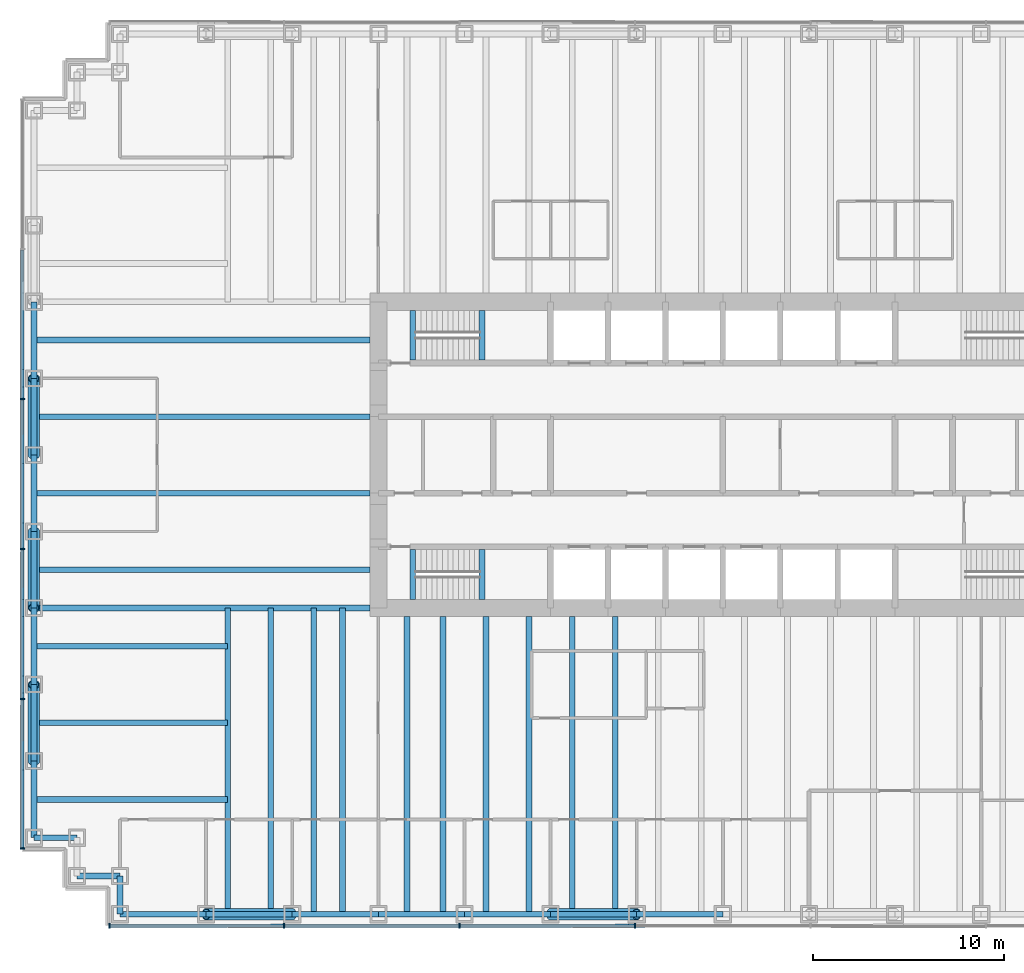
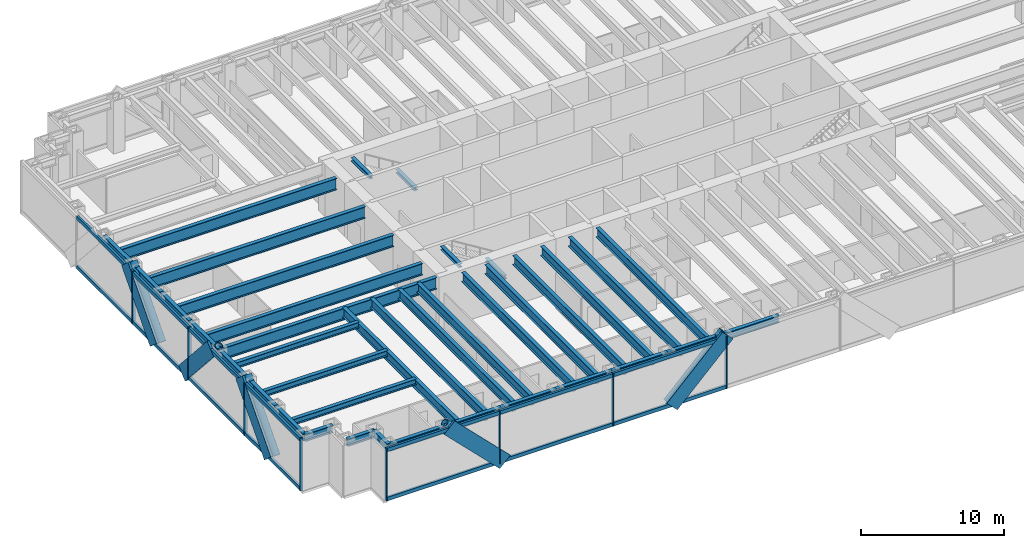
# One storey, part 2 of 13: 39 beams, 32 members, 2 elements without a shape of their own.
"""IFC4 building model written with IfcOpenShell, lengths in metres."""

from ifc_helpers import new_model, si_unit, direction, frame, origin, origin_2d, place, context, subcontext, project, spatial, rectangle, hollow_circle, i_section, extrude, material, material_profile, profile_set, type_object, element, aggregate, save


model = new_model("IFC4")

# Units and contexts
model_context = context("Model", 3, precision=1e-05, world=origin(), true_north=direction((0.0, 1.0)))
body_context = subcontext(model_context, "Body", "Model", "MODEL_VIEW")
ifc_project = project(units=[si_unit("LENGTHUNIT", "METRE"), si_unit("AREAUNIT", "SQUARE_METRE"), si_unit("VOLUMEUNIT", "CUBIC_METRE"), si_unit("PLANEANGLEUNIT", "RADIAN"), si_unit("MASSUNIT", "GRAM", prefix="KILO")], contexts=[model_context])

# Site, building, storey
site_placement = place(None, origin())
site = spatial("IfcSite", under=ifc_project, at=site_placement, CompositionType="ELEMENT")
building_placement = place(site_placement, origin())
building = spatial("IfcBuilding", under=site, at=building_placement, Name="Rheinbord Bourse Tower", CompositionType="ELEMENT")
storey_placement = place(building_placement, frame((0.0, 0.0, 86.0)))
storey = spatial("IfcBuildingStorey", under=building, at=storey_placement, Name="L18", CompositionType="ELEMENT", Elevation=86.0)

# Curtain wall, members
ifc_material_1 = material(Name="Dark glass and black aluminium", Category="aluminium")
curtain_wall_type = type_object("IfcCurtainWallType", Name="CW1 DARK GLASS CURTAIN WALL", PredefinedType="USERDEFINED", material=ifc_material_1)
curtain_wall_1_placement = place(storey_placement, origin())
curtain_wall_1 = element("IfcCurtainWall", 1, at=curtain_wall_1_placement, inside=storey, type_object=curtain_wall_type, Name="Curtain wall CW1 S L18", ObjectType="UNITISED CURTAIN WALL", PredefinedType="USERDEFINED")
ifc_material_2 = material(Name="Black anodised aluminium", Category="aluminium")
ifc_material_profile_1 = material_profile(ifc_material_2, rectangle(XDim=0.179931640625, YDim=1.2099609375, at=origin_2d()), Name="CW1 DIAGONAL MULLION 1210x180")
ifc_profile_set_1 = profile_set([ifc_material_profile_1], Name="Black anodised aluminium")
member_type_1 = type_object("IfcMemberType", Name="CW1 BLACK DIAGONAL MULLION", PredefinedType="USERDEFINED", material=ifc_profile_set_1)
member_1_placement = place(storey_placement, frame((27.0, -0.60009765625, 0.0), z_axis=(0.707106781187, 0.0, 0.707106781187), x_axis=(0.0, 1.0, 0.0)))
member_1 = element("IfcMember", 2, at=member_1_placement, type_object=member_type_1, Name="CW1 diagonal mullion b", ObjectType="DIAGONAL MULLION", PredefinedType="USERDEFINED", context=body_context, shape_type="SweptSolid", body=[
    extrude(rectangle(XDim=0.179931640625, YDim=1.2099609375, at=origin_2d()), origin(), (0.0, 0.0, 1.0), 6.364013671875),
])
member_2_placement = place(storey_placement, frame((13.5, -0.60009765625, 0.0), z_axis=(-0.707106781187, 0.0, 0.707106781187), x_axis=(0.0, -1.0, 0.0)))
member_2 = element("IfcMember", 3, at=member_2_placement, type_object=member_type_1, Name="CW1 diagonal mullion c", ObjectType="DIAGONAL MULLION", PredefinedType="USERDEFINED", context=body_context, shape_type="SweptSolid", body=[
    extrude(rectangle(XDim=0.179931640625, YDim=1.2099609375, at=origin_2d()), origin(), (0.0, 0.0, 1.0), 6.364013671875),
])

curtain_wall_2_placement = place(storey_placement, origin())
curtain_wall_2 = element("IfcCurtainWall", 4, at=curtain_wall_2_placement, inside=storey, type_object=curtain_wall_type, Name="Curtain wall CW1 W L18", ObjectType="UNITISED CURTAIN WALL", PredefinedType="USERDEFINED")
member_3_placement = place(storey_placement, frame((-0.60009765625, 8.0, 0.0), z_axis=(0.0, 0.66436383883, 0.747409318684), x_axis=(-1.0, 0.0, 0.0)))
member_3 = element("IfcMember", 5, at=member_3_placement, type_object=member_type_1, Name="CW1 diagonal mullion a", ObjectType="DIAGONAL MULLION", PredefinedType="USERDEFINED", context=body_context, shape_type="SweptSolid", body=[
    extrude(rectangle(XDim=0.179931640625, YDim=1.2099609375, at=origin_2d()), origin(), (0.0, 0.0, 1.0), 6.020751953125),
])
member_4_placement = place(storey_placement, frame((-0.60009765625, 24.0, 0.0), z_axis=(0.0, 0.66436383883, 0.747409318684), x_axis=(-1.0, 0.0, 0.0)))
member_4 = element("IfcMember", 6, at=member_4_placement, type_object=member_type_1, Name="CW1 diagonal mullion c", ObjectType="DIAGONAL MULLION", PredefinedType="USERDEFINED", context=body_context, shape_type="SweptSolid", body=[
    extrude(rectangle(XDim=0.179931640625, YDim=1.2099609375, at=origin_2d()), origin(), (0.0, 0.0, 1.0), 6.020751953125),
])
member_5_placement = place(storey_placement, frame((-0.60009765625, 20.0, 0.0), z_axis=(0.0, -0.66436383883, 0.747409318684), x_axis=(1.0, 0.0, 0.0)))
member_5 = element("IfcMember", 7, at=member_5_placement, type_object=member_type_1, Name="CW1 diagonal mullion d", ObjectType="DIAGONAL MULLION", PredefinedType="USERDEFINED", context=body_context, shape_type="SweptSolid", body=[
    extrude(rectangle(XDim=0.179931640625, YDim=1.2099609375, at=origin_2d()), origin(), (0.0, 0.0, 1.0), 6.020751953125),
])

# Member
ifc_material_3 = material(Name="Black anodised aluminium", Category="aluminium")
ifc_material_profile_2 = material_profile(ifc_material_3, rectangle(XDim=0.25, YDim=0.080078125, at=origin_2d()), Name="CW1 MULLION 80x250")
ifc_profile_set_2 = profile_set([ifc_material_profile_2], Name="Black anodised aluminium")
member_type_2 = type_object("IfcMemberType", Name="CW1 BLACK MULLION", PredefinedType="MULLION", material=ifc_profile_set_2)
member_6_placement = place(storey_placement, frame((3.93994140625, -0.60009765625, 0.0), z_axis=(0.0, 0.0, 1.0), x_axis=(0.0, 1.0, 0.0)))
member_6 = element("IfcMember", 8, at=member_6_placement, type_object=member_type_2, Name="CW1 mullion 1", PredefinedType="MULLION", context=body_context, shape_type="SweptSolid", body=[
    extrude(rectangle(XDim=0.25, YDim=0.080078125, at=origin_2d()), origin(), (0.0, 0.0, 1.0), 4.5),
])

member_7_placement = place(storey_placement, frame((13.071533203125, -0.60009765625, 0.0), z_axis=(0.0, 0.0, 1.0), x_axis=(0.0, 1.0, 0.0)))
member_7 = element("IfcMember", 9, at=member_7_placement, type_object=member_type_2, Name="CW1 mullion 2", PredefinedType="MULLION", context=body_context, shape_type="SweptSolid", body=[
    extrude(rectangle(XDim=0.25, YDim=0.080078125, at=origin_2d()), origin(), (0.0, 0.0, 1.0), 4.5),
])

member_8_placement = place(storey_placement, frame((22.242919921875, -0.60009765625, 0.0), z_axis=(0.0, 0.0, 1.0), x_axis=(0.0, 1.0, 0.0)))
member_8 = element("IfcMember", 10, at=member_8_placement, type_object=member_type_2, Name="CW1 mullion 3", PredefinedType="MULLION", context=body_context, shape_type="SweptSolid", body=[
    extrude(rectangle(XDim=0.25, YDim=0.080078125, at=origin_2d()), origin(), (0.0, 0.0, 1.0), 4.5),
])

member_9_placement = place(storey_placement, frame((31.414306640625, -0.60009765625, 0.0), z_axis=(0.0, 0.0, 1.0), x_axis=(0.0, 1.0, 0.0)))
member_9 = element("IfcMember", 11, at=member_9_placement, type_object=member_type_2, Name="CW1 mullion 4", PredefinedType="MULLION", context=body_context, shape_type="SweptSolid", body=[
    extrude(rectangle(XDim=0.25, YDim=0.080078125, at=origin_2d()), origin(), (0.0, 0.0, 1.0), 4.5),
])

member_10_placement = place(storey_placement, frame((-0.60009765625, 26.919921875, 0.0), z_axis=(0.0, 0.0, 1.0), x_axis=(1.0, 0.0, 0.0)))
member_10 = element("IfcMember", 12, at=member_10_placement, type_object=member_type_2, Name="CW1 mullion 3", PredefinedType="MULLION", context=body_context, shape_type="SweptSolid", body=[
    extrude(rectangle(XDim=0.25, YDim=0.080078125, at=origin_2d()), origin(), (0.0, 0.0, 1.0), 4.5),
])

member_11_placement = place(storey_placement, frame((-0.60009765625, 19.080078125, 0.0), z_axis=(0.0, 0.0, 1.0), x_axis=(1.0, 0.0, 0.0)))
member_11 = element("IfcMember", 13, at=member_11_placement, type_object=member_type_2, Name="CW1 mullion 4", PredefinedType="MULLION", context=body_context, shape_type="SweptSolid", body=[
    extrude(rectangle(XDim=0.25, YDim=0.080078125, at=origin_2d()), origin(), (0.0, 0.0, 1.0), 4.5),
])

member_12_placement = place(storey_placement, frame((-0.60009765625, 11.239990234375, 0.0), z_axis=(0.0, 0.0, 1.0), x_axis=(1.0, 0.0, 0.0)))
member_12 = element("IfcMember", 14, at=member_12_placement, type_object=member_type_2, Name="CW1 mullion 5", PredefinedType="MULLION", context=body_context, shape_type="SweptSolid", body=[
    extrude(rectangle(XDim=0.25, YDim=0.080078125, at=origin_2d()), origin(), (0.0, 0.0, 1.0), 4.5),
])

member_13_placement = place(storey_placement, frame((-0.60009765625, 3.43994140625, 0.0), z_axis=(0.0, 0.0, 1.0), x_axis=(1.0, 0.0, 0.0)))
member_13 = element("IfcMember", 15, at=member_13_placement, type_object=member_type_2, Name="CW1 mullion 6", PredefinedType="MULLION", context=body_context, shape_type="SweptSolid", body=[
    extrude(rectangle(XDim=0.25, YDim=0.080078125, at=origin_2d()), origin(), (0.0, 0.0, 1.0), 4.5),
])

ifc_material_4 = material(Name="Black anodised aluminium", Category="aluminium")
ifc_material_profile_3 = material_profile(ifc_material_4, rectangle(XDim=0.179931640625, YDim=0.300048828125, at=origin_2d()), Name="CW1 TRANSOM 300x180")
ifc_profile_set_3 = profile_set([ifc_material_profile_3], Name="Black anodised aluminium")
member_type_3 = type_object("IfcMemberType", Name="CW1 BLACK TRANSOM", PredefinedType="USERDEFINED", material=ifc_profile_set_3)
member_14_placement = place(storey_placement, frame((3.97998046875, -0.60009765625, 0.14990234375), z_axis=(1.0, 0.0, 0.0), x_axis=(0.0, 1.0, 0.0)))
member_14 = element("IfcMember", 16, at=member_14_placement, type_object=member_type_3, Name="CW1 transom 1.1", ObjectType="TRANSOM", PredefinedType="USERDEFINED", context=body_context, shape_type="SweptSolid", body=[
    extrude(rectangle(XDim=0.179931640625, YDim=0.300048828125, at=origin_2d()), origin(), (0.0, 0.0, 1.0), 9.051513671875),
])

member_15_placement = place(storey_placement, frame((3.97998046875, -0.60009765625, 4.35009765625), z_axis=(1.0, 0.0, 0.0), x_axis=(0.0, 1.0, 0.0)))
member_15 = element("IfcMember", 17, at=member_15_placement, type_object=member_type_3, Name="CW1 transom 1.2", ObjectType="TRANSOM", PredefinedType="USERDEFINED", context=body_context, shape_type="SweptSolid", body=[
    extrude(rectangle(XDim=0.179931640625, YDim=0.300048828125, at=origin_2d()), origin(), (0.0, 0.0, 1.0), 9.051513671875),
])

member_16_placement = place(storey_placement, frame((13.111328125, -0.60009765625, 0.14990234375), z_axis=(1.0, 0.0, 0.0), x_axis=(0.0, 1.0, 0.0)))
member_16 = element("IfcMember", 18, at=member_16_placement, type_object=member_type_3, Name="CW1 transom 2.1", ObjectType="TRANSOM", PredefinedType="USERDEFINED", context=body_context, shape_type="SweptSolid", body=[
    extrude(rectangle(XDim=0.179931640625, YDim=0.300048828125, at=origin_2d()), origin(), (0.0, 0.0, 1.0), 9.091552734375),
])

member_17_placement = place(storey_placement, frame((13.111328125, -0.60009765625, 4.35009765625), z_axis=(1.0, 0.0, 0.0), x_axis=(0.0, 1.0, 0.0)))
member_17 = element("IfcMember", 19, at=member_17_placement, type_object=member_type_3, Name="CW1 transom 2.2", ObjectType="TRANSOM", PredefinedType="USERDEFINED", context=body_context, shape_type="SweptSolid", body=[
    extrude(rectangle(XDim=0.179931640625, YDim=0.300048828125, at=origin_2d()), origin(), (0.0, 0.0, 1.0), 9.091552734375),
])

member_18_placement = place(storey_placement, frame((22.282958984375, -0.60009765625, 0.14990234375), z_axis=(1.0, 0.0, 0.0), x_axis=(0.0, 1.0, 0.0)))
member_18 = element("IfcMember", 20, at=member_18_placement, type_object=member_type_3, Name="CW1 transom 3.1", ObjectType="TRANSOM", PredefinedType="USERDEFINED", context=body_context, shape_type="SweptSolid", body=[
    extrude(rectangle(XDim=0.179931640625, YDim=0.300048828125, at=origin_2d()), origin(), (0.0, 0.0, 1.0), 9.09130859375),
])

member_19_placement = place(storey_placement, frame((22.282958984375, -0.60009765625, 4.35009765625), z_axis=(1.0, 0.0, 0.0), x_axis=(0.0, 1.0, 0.0)))
member_19 = element("IfcMember", 21, at=member_19_placement, type_object=member_type_3, Name="CW1 transom 3.2", ObjectType="TRANSOM", PredefinedType="USERDEFINED", context=body_context, shape_type="SweptSolid", body=[
    extrude(rectangle(XDim=0.179931640625, YDim=0.300048828125, at=origin_2d()), origin(), (0.0, 0.0, 1.0), 9.09130859375),
])

aggregate(curtain_wall_1, [member_6, member_7, member_8, member_9, member_14, member_15, member_16, member_17, member_18, member_19, member_1, member_2])

member_20_placement = place(storey_placement, frame((-0.60009765625, 34.719970703125, 0.14990234375), z_axis=(0.0, -1.0, 0.0), x_axis=(1.0, 0.0, 0.0)))
member_20 = element("IfcMember", 22, at=member_20_placement, type_object=member_type_3, Name="CW1 transom 2.1", ObjectType="TRANSOM", PredefinedType="USERDEFINED", context=body_context, shape_type="SweptSolid", body=[
    extrude(rectangle(XDim=0.179931640625, YDim=0.300048828125, at=origin_2d()), origin(), (0.0, 0.0, 1.0), 7.760009765625),
])

member_21_placement = place(storey_placement, frame((-0.60009765625, 34.719970703125, 4.35009765625), z_axis=(0.0, -1.0, 0.0), x_axis=(1.0, 0.0, 0.0)))
member_21 = element("IfcMember", 23, at=member_21_placement, type_object=member_type_3, Name="CW1 transom 2.2", ObjectType="TRANSOM", PredefinedType="USERDEFINED", context=body_context, shape_type="SweptSolid", body=[
    extrude(rectangle(XDim=0.179931640625, YDim=0.300048828125, at=origin_2d()), origin(), (0.0, 0.0, 1.0), 7.760009765625),
])

member_22_placement = place(storey_placement, frame((-0.60009765625, 26.8798828125, 0.14990234375), z_axis=(0.0, -1.0, 0.0), x_axis=(1.0, 0.0, 0.0)))
member_22 = element("IfcMember", 24, at=member_22_placement, type_object=member_type_3, Name="CW1 transom 3.1", ObjectType="TRANSOM", PredefinedType="USERDEFINED", context=body_context, shape_type="SweptSolid", body=[
    extrude(rectangle(XDim=0.179931640625, YDim=0.300048828125, at=origin_2d()), origin(), (0.0, 0.0, 1.0), 7.759765625),
])

member_23_placement = place(storey_placement, frame((-0.60009765625, 26.8798828125, 4.35009765625), z_axis=(0.0, -1.0, 0.0), x_axis=(1.0, 0.0, 0.0)))
member_23 = element("IfcMember", 25, at=member_23_placement, type_object=member_type_3, Name="CW1 transom 3.2", ObjectType="TRANSOM", PredefinedType="USERDEFINED", context=body_context, shape_type="SweptSolid", body=[
    extrude(rectangle(XDim=0.179931640625, YDim=0.300048828125, at=origin_2d()), origin(), (0.0, 0.0, 1.0), 7.759765625),
])

member_24_placement = place(storey_placement, frame((-0.60009765625, 19.0400390625, 0.14990234375), z_axis=(0.0, -1.0, 0.0), x_axis=(1.0, 0.0, 0.0)))
member_24 = element("IfcMember", 26, at=member_24_placement, type_object=member_type_3, Name="CW1 transom 4.1", ObjectType="TRANSOM", PredefinedType="USERDEFINED", context=body_context, shape_type="SweptSolid", body=[
    extrude(rectangle(XDim=0.179931640625, YDim=0.300048828125, at=origin_2d()), origin(), (0.0, 0.0, 1.0), 7.760009765625),
])

member_25_placement = place(storey_placement, frame((-0.60009765625, 19.0400390625, 4.35009765625), z_axis=(0.0, -1.0, 0.0), x_axis=(1.0, 0.0, 0.0)))
member_25 = element("IfcMember", 27, at=member_25_placement, type_object=member_type_3, Name="CW1 transom 4.2", ObjectType="TRANSOM", PredefinedType="USERDEFINED", context=body_context, shape_type="SweptSolid", body=[
    extrude(rectangle(XDim=0.179931640625, YDim=0.300048828125, at=origin_2d()), origin(), (0.0, 0.0, 1.0), 7.760009765625),
])

member_26_placement = place(storey_placement, frame((-0.60009765625, 11.199951171875, 0.14990234375), z_axis=(0.0, -1.0, 0.0), x_axis=(1.0, 0.0, 0.0)))
member_26 = element("IfcMember", 28, at=member_26_placement, type_object=member_type_3, Name="CW1 transom 5.1", ObjectType="TRANSOM", PredefinedType="USERDEFINED", context=body_context, shape_type="SweptSolid", body=[
    extrude(rectangle(XDim=0.179931640625, YDim=0.300048828125, at=origin_2d()), origin(), (0.0, 0.0, 1.0), 7.719970703125),
])

member_27_placement = place(storey_placement, frame((-0.60009765625, 11.199951171875, 4.35009765625), z_axis=(0.0, -1.0, 0.0), x_axis=(1.0, 0.0, 0.0)))
member_27 = element("IfcMember", 29, at=member_27_placement, type_object=member_type_3, Name="CW1 transom 5.2", ObjectType="TRANSOM", PredefinedType="USERDEFINED", context=body_context, shape_type="SweptSolid", body=[
    extrude(rectangle(XDim=0.179931640625, YDim=0.300048828125, at=origin_2d()), origin(), (0.0, 0.0, 1.0), 7.719970703125),
])

aggregate(curtain_wall_2, [member_10, member_11, member_12, member_13, member_20, member_21, member_22, member_23, member_24, member_25, member_26, member_27, member_3, member_4, member_5])

# Beams
ifc_material_5 = material(Name="Steel S460", Category="steel")
ifc_material_profile_4 = material_profile(ifc_material_5, i_section(OverallWidth=0.302001953125, OverallDepth=1.008056640625, WebThickness=0.02099609375, FlangeThickness=0.0400390625, at=origin_2d()), Name="HEM 1000")
ifc_profile_set_4 = profile_set([ifc_material_profile_4], Name="Steel S460")
beam_type_1 = type_object("IfcBeamType", Name="END BEAM HEM 1000", PredefinedType="BEAM", material=ifc_profile_set_4)
for number, where, z_axis, x_axis, name in (
    (30, (0.0, 18.0, 3.81591796875), (1.0, 0.0, 0.0), (0.0, 1.0, 0.0), "End beam west 18 L19"),
    (31, (0.0, 22.0, 3.81591796875), (1.0, 0.0, 0.0), (0.0, 1.0, 0.0), "End beam west 22 L19"),
    (32, (0.0, 26.0, 3.81591796875), (1.0, 0.0, 0.0), (0.0, 1.0, 0.0), "End beam west 26 L19"),
    (33, (0.0, 30.0, 3.81591796875), (1.0, 0.0, 0.0), (0.0, 1.0, 0.0), "End beam west 30 L19"),
):
    element("IfcBeam", number, at=place(storey_placement, frame(where, z_axis=z_axis, x_axis=x_axis)), inside=storey, type_object=beam_type_1, Name=name, PredefinedType="BEAM", context=body_context, shape_type="SweptSolid", body=[
        extrude(i_section(OverallWidth=0.302001953125, OverallDepth=1.008056640625, WebThickness=0.02099609375, FlangeThickness=0.0400390625, at=origin_2d()), origin(), (0.0, 0.0, 1.0), 17.550048828125),
    ])
ifc_material_6 = material(Name="Steel S460", Category="steel")
ifc_material_profile_5 = material_profile(ifc_material_6, i_section(OverallWidth=0.300048828125, OverallDepth=0.800048828125, WebThickness=0.017578125, FlangeThickness=0.032958984375, at=origin_2d()), Name="HEB 800")
ifc_profile_set_5 = profile_set([ifc_material_profile_5], Name="Steel S460")
beam_type_2 = type_object("IfcBeamType", Name="FLOOR BEAM HEB 800", PredefinedType="BEAM", material=ifc_profile_set_5)
for number, where, z_axis, x_axis, name in (
    (34, (10.125, 0.0, 3.919921875), (0.0, 1.0, 0.0), (-1.0, 0.0, 0.0), "Floor beam S-9a L19"),
    (35, (12.375, 0.0, 3.919921875), (0.0, 1.0, 0.0), (-1.0, 0.0, 0.0), "Floor beam S-9b L19"),
    (36, (14.625, 0.0, 3.919921875), (0.0, 1.0, 0.0), (-1.0, 0.0, 0.0), "Floor beam S-13.5a L19"),
    (37, (16.125, 0.0, 3.919921875), (0.0, 1.0, 0.0), (-1.0, 0.0, 0.0), "Floor beam S-13.5b L19"),
):
    element("IfcBeam", number, at=place(storey_placement, frame(where, z_axis=z_axis, x_axis=x_axis)), inside=storey, type_object=beam_type_2, Name=name, PredefinedType="BEAM", context=body_context, shape_type="SweptSolid", body=[
        extrude(i_section(OverallWidth=0.300048828125, OverallDepth=0.800048828125, WebThickness=0.017578125, FlangeThickness=0.032958984375, at=origin_2d()), origin(), (0.0, 0.0, 1.0), 16.0),
    ])
for number, where, z_axis, x_axis, name in (
    (38, (19.5, 0.0, 3.919921875), (0.0, 1.0, 0.0), (-1.0, 0.0, 0.0), "Floor beam S-18a L19"),
    (39, (21.375, 0.0, 3.919921875), (0.0, 1.0, 0.0), (-1.0, 0.0, 0.0), "Floor beam S-18b L19"),
    (40, (23.625, 0.0, 3.919921875), (0.0, 1.0, 0.0), (-1.0, 0.0, 0.0), "Floor beam S-22.5a L19"),
    (41, (25.875, 0.0, 3.919921875), (0.0, 1.0, 0.0), (-1.0, 0.0, 0.0), "Floor beam S-22.5b L19"),
    (42, (28.125, 0.0, 3.919921875), (0.0, 1.0, 0.0), (-1.0, 0.0, 0.0), "Floor beam S-27a L19"),
    (43, (30.375, 0.0, 3.919921875), (0.0, 1.0, 0.0), (-1.0, 0.0, 0.0), "Floor beam S-27b L19"),
):
    element("IfcBeam", number, at=place(storey_placement, frame(where, z_axis=z_axis, x_axis=x_axis)), inside=storey, type_object=beam_type_2, Name=name, PredefinedType="BEAM", context=body_context, shape_type="SweptSolid", body=[
        extrude(i_section(OverallWidth=0.300048828125, OverallDepth=0.800048828125, WebThickness=0.017578125, FlangeThickness=0.032958984375, at=origin_2d()), origin(), (0.0, 0.0, 1.0), 15.550048828125),
    ])
ifc_material_7 = material(Name="Steel S460", Category="steel")
ifc_material_profile_6 = material_profile(ifc_material_7, i_section(OverallWidth=0.302001953125, OverallDepth=1.008056640625, WebThickness=0.02099609375, FlangeThickness=0.0400390625, at=origin_2d()), Name="HEM 1000")
ifc_profile_set_6 = profile_set([ifc_material_profile_6], Name="Steel S460")
beam_type_3 = type_object("IfcBeamType", Name="GIRDER HEM 1000", PredefinedType="BEAM", material=ifc_profile_set_6)
beam_1_placement = place(storey_placement, frame((0.0, 16.0, 3.81591796875), z_axis=(1.0, 0.0, 0.0), x_axis=(0.0, 1.0, 0.0)))
element("IfcBeam", 44, at=beam_1_placement, inside=storey, type_object=beam_type_3, Name="Girder west 16 L19", PredefinedType="BEAM", context=body_context, shape_type="SweptSolid", body=[
    extrude(i_section(OverallWidth=0.302001953125, OverallDepth=1.008056640625, WebThickness=0.02099609375, FlangeThickness=0.0400390625, at=origin_2d()), origin(), (0.0, 0.0, 1.0), 17.550048828125),
])
ifc_material_8 = material(Name="Steel S460", Category="steel")
ifc_material_profile_7 = material_profile(ifc_material_8, i_section(OverallWidth=0.300048828125, OverallDepth=0.300048828125, WebThickness=0.010986328125, FlangeThickness=0.01904296875, at=origin_2d()), Name="HEB 300")
ifc_profile_set_7 = profile_set([ifc_material_profile_7], Name="Steel S460")
beam_type_4 = type_object("IfcBeamType", Name="LANDING TRIMMER HEB 300", PredefinedType="BEAM", material=ifc_profile_set_7)
for number, where, z_axis, x_axis, name in (
    (45, (23.409912109375, 16.449951171875, 1.89990234375), (0.0, 1.0, 0.0), (-1.0, 0.0, 0.0), "Landing trimmer ST1 L18"),
    (46, (19.800048828125, 16.449951171875, 4.169921875), (0.0, 1.0, 0.0), (-1.0, 0.0, 0.0), "Well trimmer ST1 under L19"),
    (47, (23.409912109375, 28.949951171875, 1.89990234375), (0.0, 1.0, 0.0), (-1.0, 0.0, 0.0), "Landing trimmer ST2 L18"),
    (48, (19.800048828125, 28.949951171875, 4.169921875), (0.0, 1.0, 0.0), (-1.0, 0.0, 0.0), "Well trimmer ST2 under L19"),
):
    element("IfcBeam", number, at=place(storey_placement, frame(where, z_axis=z_axis, x_axis=x_axis)), inside=storey, type_object=beam_type_4, Name=name, PredefinedType="BEAM", context=body_context, shape_type="SweptSolid", body=[
        extrude(i_section(OverallWidth=0.300048828125, OverallDepth=0.300048828125, WebThickness=0.010986328125, FlangeThickness=0.01904296875, at=origin_2d()), origin(), (0.0, 0.0, 1.0), 2.60009765625),
    ])

# Members
ifc_material_9 = material(Name="Steel S460", Category="steel")
ifc_material_profile_8 = material_profile(ifc_material_9, hollow_circle(Radius=0.304931640625, WallThickness=0.050048828125, at=origin_2d()), Name="CHS 610x50")
ifc_profile_set_8 = profile_set([ifc_material_profile_8], Name="Steel S460")
member_type_4 = type_object("IfcMemberType", Name="MEGABRACE CHS 610x50", PredefinedType="BRACE", material=ifc_profile_set_8)
for number, where, z_axis, x_axis, name in (
    (49, (27.0, 0.0, 0.0), (0.707106781187, 0.0, 0.707106781187), (0.0, 1.0, 0.0), "Megabrace S face line b L18"),
    (50, (13.5, 0.0, 0.0), (-0.707106781187, 0.0, 0.707106781187), (0.0, -1.0, 0.0), "Megabrace S face line c L18"),
):
    element("IfcMember", number, at=place(storey_placement, frame(where, z_axis=z_axis, x_axis=x_axis)), inside=storey, type_object=member_type_4, Name=name, PredefinedType="BRACE", context=body_context, shape_type="SweptSolid", body=[
        extrude(hollow_circle(Radius=0.304931640625, WallThickness=0.050048828125, at=origin_2d()), origin(), (0.0, 0.0, 1.0), 6.364013671875),
    ])
for number, where, z_axis, x_axis, name in (
    (51, (0.0, 8.0, 0.0), (0.0, 0.66436383883, 0.747409318684), (-1.0, 0.0, 0.0), "Megabrace W face line a L18"),
    (52, (0.0, 24.0, 0.0), (0.0, 0.66436383883, 0.747409318684), (-1.0, 0.0, 0.0), "Megabrace W face line c L18"),
    (53, (0.0, 20.0, 0.0), (0.0, -0.66436383883, 0.747409318684), (1.0, 0.0, 0.0), "Megabrace W face line d L18"),
):
    element("IfcMember", number, at=place(storey_placement, frame(where, z_axis=z_axis, x_axis=x_axis)), inside=storey, type_object=member_type_4, Name=name, PredefinedType="BRACE", context=body_context, shape_type="SweptSolid", body=[
        extrude(hollow_circle(Radius=0.304931640625, WallThickness=0.050048828125, at=origin_2d()), origin(), (0.0, 0.0, 1.0), 6.020751953125),
    ])

# Beams
ifc_material_10 = material(Name="Steel S460", Category="steel")
ifc_material_profile_9 = material_profile(ifc_material_10, i_section(OverallWidth=0.304931640625, OverallDepth=0.6201171875, WebThickness=0.02099609375, FlangeThickness=0.0400390625, at=origin_2d()), Name="HEM 600")
ifc_profile_set_9 = profile_set([ifc_material_profile_9], Name="Steel S460")
beam_type_5 = type_object("IfcBeamType", Name="SPANDREL HEM 600", PredefinedType="SPANDREL", material=ifc_profile_set_9)
for number, where, z_axis, x_axis, name in (
    (54, (4.5, 0.0, 4.010009765625), (1.0, 0.0, 0.0), (0.0, 1.0, 0.0), "Spandrel SW-E-S-9 under L19"),
    (55, (9.0, 0.0, 4.010009765625), (1.0, 0.0, 0.0), (0.0, 1.0, 0.0), "Spandrel S-9-S-13.5 under L19"),
    (56, (13.5, 0.0, 4.010009765625), (1.0, 0.0, 0.0), (0.0, 1.0, 0.0), "Spandrel S-13.5-S-18 under L19"),
    (57, (18.0, 0.0, 4.010009765625), (1.0, 0.0, 0.0), (0.0, 1.0, 0.0), "Spandrel S-18-S-22.5 under L19"),
    (58, (22.5, 0.0, 4.010009765625), (1.0, 0.0, 0.0), (0.0, 1.0, 0.0), "Spandrel S-22.5-S-27 under L19"),
    (59, (27.0, 0.0, 4.010009765625), (1.0, 0.0, 0.0), (0.0, 1.0, 0.0), "Spandrel S-27-S-31.5 under L19"),
    (60, (31.5, 0.0, 4.010009765625), (1.0, 0.0, 0.0), (0.0, 1.0, 0.0), "Spandrel S-31.5-S-36 under L19"),
):
    element("IfcBeam", number, at=place(storey_placement, frame(where, z_axis=z_axis, x_axis=x_axis)), inside=storey, type_object=beam_type_5, Name=name, PredefinedType="SPANDREL", context=body_context, shape_type="SweptSolid", body=[
        extrude(i_section(OverallWidth=0.304931640625, OverallDepth=0.6201171875, WebThickness=0.02099609375, FlangeThickness=0.0400390625, at=origin_2d()), origin(), (0.0, 0.0, 1.0), 4.5),
    ])
for number, where, z_axis, x_axis, name in (
    (61, (0.0, 32.0, 4.010009765625), (0.0, -1.0, 0.0), (1.0, 0.0, 0.0), "Spandrel W-32-W-28 under L19"),
    (62, (0.0, 28.0, 4.010009765625), (0.0, -1.0, 0.0), (1.0, 0.0, 0.0), "Spandrel W-28-W-24 under L19"),
    (63, (0.0, 24.0, 4.010009765625), (0.0, -1.0, 0.0), (1.0, 0.0, 0.0), "Spandrel W-24-W-20 under L19"),
    (64, (0.0, 20.0, 4.010009765625), (0.0, -1.0, 0.0), (1.0, 0.0, 0.0), "Spandrel W-20-W-16 under L19"),
    (65, (0.0, 16.0, 4.010009765625), (0.0, -1.0, 0.0), (1.0, 0.0, 0.0), "Spandrel W-16-W-12 under L19"),
    (66, (0.0, 12.0, 4.010009765625), (0.0, -1.0, 0.0), (1.0, 0.0, 0.0), "Spandrel W-12-W-8 under L19"),
    (67, (0.0, 8.0, 4.010009765625), (0.0, -1.0, 0.0), (1.0, 0.0, 0.0), "Spandrel W-8-SW-A under L19"),
):
    element("IfcBeam", number, at=place(storey_placement, frame(where, z_axis=z_axis, x_axis=x_axis)), inside=storey, type_object=beam_type_5, Name=name, PredefinedType="SPANDREL", context=body_context, shape_type="SweptSolid", body=[
        extrude(i_section(OverallWidth=0.304931640625, OverallDepth=0.6201171875, WebThickness=0.02099609375, FlangeThickness=0.0400390625, at=origin_2d()), origin(), (0.0, 0.0, 1.0), 4.0),
    ])
for number, where, z_axis, x_axis, name in (
    (68, (0.0, 4.0, 4.010009765625), (1.0, 0.0, 0.0), (0.0, 1.0, 0.0), "Spandrel SW-A-SW-B under L19"),
    (69, (2.25, 2.0, 4.010009765625), (1.0, 0.0, 0.0), (0.0, 1.0, 0.0), "Spandrel SW-C-SW-D under L19"),
):
    element("IfcBeam", number, at=place(storey_placement, frame(where, z_axis=z_axis, x_axis=x_axis)), inside=storey, type_object=beam_type_5, Name=name, PredefinedType="SPANDREL", context=body_context, shape_type="SweptSolid", body=[
        extrude(i_section(OverallWidth=0.304931640625, OverallDepth=0.6201171875, WebThickness=0.02099609375, FlangeThickness=0.0400390625, at=origin_2d()), origin(), (0.0, 0.0, 1.0), 2.25),
    ])
beam_2_placement = place(storey_placement, frame((4.5, 2.0, 4.010009765625), z_axis=(0.0, -1.0, 0.0), x_axis=(1.0, 0.0, 0.0)))
element("IfcBeam", 70, at=beam_2_placement, inside=storey, type_object=beam_type_5, Name="Spandrel SW-D-SW-E under L19", PredefinedType="SPANDREL", context=body_context, shape_type="SweptSolid", body=[
    extrude(i_section(OverallWidth=0.304931640625, OverallDepth=0.6201171875, WebThickness=0.02099609375, FlangeThickness=0.0400390625, at=origin_2d()), origin(), (0.0, 0.0, 1.0), 2.0),
])
ifc_material_11 = material(Name="Steel S460", Category="steel")
ifc_material_profile_10 = material_profile(ifc_material_11, i_section(OverallWidth=0.300048828125, OverallDepth=0.5, WebThickness=0.014404296875, FlangeThickness=0.028076171875, at=origin_2d()), Name="HEB 500")
ifc_profile_set_10 = profile_set([ifc_material_profile_10], Name="Steel S460")
beam_type_6 = type_object("IfcBeamType", Name="TIE BEAM HEB 500", PredefinedType="JOIST", material=ifc_profile_set_10)
for number, where, z_axis, x_axis, name in (
    (71, (0.0, 6.0, 4.070068359375), (1.0, 0.0, 0.0), (0.0, 1.0, 0.0), "Tie west 6 L19"),
    (72, (0.0, 10.0, 4.070068359375), (1.0, 0.0, 0.0), (0.0, 1.0, 0.0), "Tie west 10 L19"),
    (73, (0.0, 14.0, 4.070068359375), (1.0, 0.0, 0.0), (0.0, 1.0, 0.0), "Tie west 14 L19"),
):
    element("IfcBeam", number, at=place(storey_placement, frame(where, z_axis=z_axis, x_axis=x_axis)), inside=storey, type_object=beam_type_6, Name=name, PredefinedType="JOIST", context=body_context, shape_type="SweptSolid", body=[
        extrude(i_section(OverallWidth=0.300048828125, OverallDepth=0.5, WebThickness=0.014404296875, FlangeThickness=0.028076171875, at=origin_2d()), origin(), (0.0, 0.0, 1.0), 10.125),
    ])

save(model, "model.ifc")
